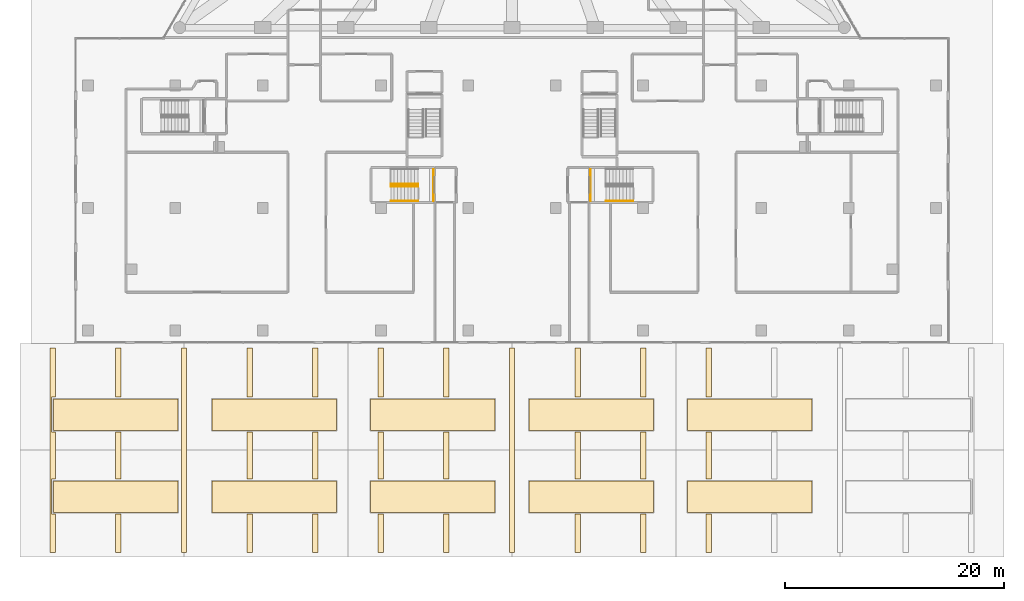
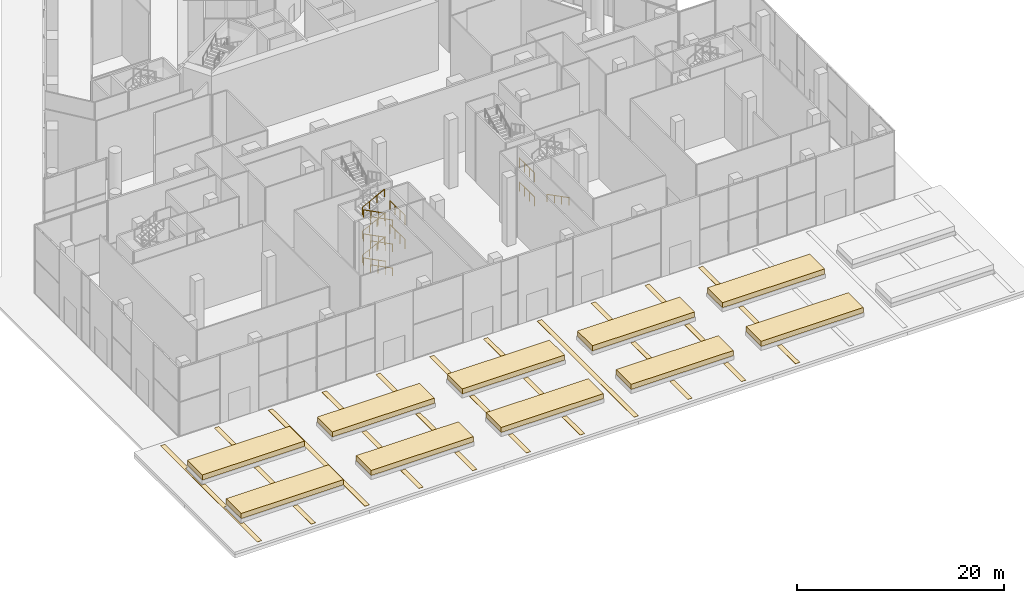
# One storey, part 35 of 41: 37 coverings, 14 railings, 2 elements without a shape of their own.
"""IFC4 building model written with IfcOpenShell, lengths in metres."""

from ifc_helpers import new_model, si_unit, direction, frame, origin, origin_2d, place, context, subcontext, project, spatial, polyline, circle, outline, extrude, material, layer, layer_set, type_object, element, aggregate, save


model = new_model("IFC4")

# Units and contexts
model_context = context("Model", 3, precision=1e-05, world=origin(), true_north=direction((0.0, 1.0)))
body_context = subcontext(model_context, "Body", "Model", "MODEL_VIEW")
ifc_project = project(units=[si_unit("LENGTHUNIT", "METRE"), si_unit("AREAUNIT", "SQUARE_METRE"), si_unit("VOLUMEUNIT", "CUBIC_METRE"), si_unit("PLANEANGLEUNIT", "RADIAN"), si_unit("MASSUNIT", "GRAM", prefix="KILO")], contexts=[model_context])

# Site, building, storey
site_placement = place(None, origin())
site = spatial("IfcSite", under=ifc_project, at=site_placement, CompositionType="ELEMENT")
building_placement = place(site_placement, origin())
building = spatial("IfcBuilding", under=site, at=building_placement, Name="Triada Interchange Tower", CompositionType="ELEMENT")
storey_placement = place(building_placement, origin())
storey = spatial("IfcBuildingStorey", under=building, at=storey_placement, Name="L00", CompositionType="ELEMENT", Elevation=0.0)

# Coverings
ifc_material_1 = material(Name="Concrete paving band", Category="concrete")
ifc_layer_1 = layer(ifc_material_1, 0.02001953125)
ifc_layer_set_1 = layer_set([ifc_layer_1], Name="Paving band 20")
covering_type_1 = type_object("IfcCoveringType", Name="Paving band 20", PredefinedType="FLOORING", material=ifc_layer_set_1)
covering_1_placement = place(storey_placement, origin())
element("IfcCovering", 1, at=covering_1_placement, inside=storey, type_object=covering_type_1, Name="Plaza paving band 01", PredefinedType="FLOORING", context=body_context, shape_type="SweptSolid", body=[
    extrude(outline(polyline([(-41.75, -66.10009765625), (-42.10009765625, -66.10009765625), (-42.10009765625, -62.89990234375), (-41.75, -62.89990234375), (-41.75, -58.60009765625), (-42.10009765625, -58.60009765625), (-42.10009765625, -55.39990234375), (-41.75, -55.39990234375), (-41.75, -50.89990234375), (-42.25, -50.89990234375), (-42.25, -69.60009765625), (-41.75, -69.60009765625), (-41.75, -66.10009765625)])), origin(), (0.0, 0.0, 1.0), 0.02001953125),
])
covering_2_placement = place(storey_placement, origin())
element("IfcCovering", 2, at=covering_2_placement, inside=storey, type_object=covering_type_1, Name="Plaza paving band 02", PredefinedType="FLOORING", context=body_context, shape_type="SweptSolid", body=[
    extrude(outline(polyline([(-35.75, -66.10009765625), (-36.25, -66.10009765625), (-36.25, -69.60009765625), (-35.75, -69.60009765625), (-35.75, -66.10009765625)])), origin(), (0.0, 0.0, 1.0), 0.02001953125),
])
covering_3_placement = place(storey_placement, origin())
element("IfcCovering", 3, at=covering_3_placement, inside=storey, type_object=covering_type_1, Name="Plaza paving band 03", PredefinedType="FLOORING", context=body_context, shape_type="SweptSolid", body=[
    extrude(outline(polyline([(-35.75, -58.60009765625), (-36.25, -58.60009765625), (-36.25, -62.89990234375), (-35.75, -62.89990234375), (-35.75, -58.60009765625)])), origin(), (0.0, 0.0, 1.0), 0.02001953125),
])
covering_4_placement = place(storey_placement, origin())
element("IfcCovering", 4, at=covering_4_placement, inside=storey, type_object=covering_type_1, Name="Plaza paving band 04", PredefinedType="FLOORING", context=body_context, shape_type="SweptSolid", body=[
    extrude(outline(polyline([(-36.25, -55.39990234375), (-35.75, -55.39990234375), (-35.75, -50.89990234375), (-36.25, -50.89990234375), (-36.25, -55.39990234375)])), origin(), (0.0, 0.0, 1.0), 0.02001953125),
])
covering_5_placement = place(storey_placement, origin())
element("IfcCovering", 5, at=covering_5_placement, inside=storey, type_object=covering_type_1, Name="Plaza paving band 05", PredefinedType="FLOORING", context=body_context, shape_type="SweptSolid", body=[
    extrude(outline(polyline([(-29.75, -69.60009765625), (-29.75, -50.89990234375), (-30.25, -50.89990234375), (-30.25, -69.60009765625), (-29.75, -69.60009765625)])), origin(), (0.0, 0.0, 1.0), 0.02001953125),
])
covering_6_placement = place(storey_placement, origin())
element("IfcCovering", 6, at=covering_6_placement, inside=storey, type_object=covering_type_1, Name="Plaza paving band 06", PredefinedType="FLOORING", context=body_context, shape_type="SweptSolid", body=[
    extrude(outline(polyline([(-23.75, -66.10009765625), (-24.25, -66.10009765625), (-24.25, -69.60009765625), (-23.75, -69.60009765625), (-23.75, -66.10009765625)])), origin(), (0.0, 0.0, 1.0), 0.02001953125),
])
covering_7_placement = place(storey_placement, origin())
element("IfcCovering", 7, at=covering_7_placement, inside=storey, type_object=covering_type_1, Name="Plaza paving band 07", PredefinedType="FLOORING", context=body_context, shape_type="SweptSolid", body=[
    extrude(outline(polyline([(-23.75, -58.60009765625), (-24.25, -58.60009765625), (-24.25, -62.89990234375), (-23.75, -62.89990234375), (-23.75, -58.60009765625)])), origin(), (0.0, 0.0, 1.0), 0.02001953125),
])
covering_8_placement = place(storey_placement, origin())
element("IfcCovering", 8, at=covering_8_placement, inside=storey, type_object=covering_type_1, Name="Plaza paving band 08", PredefinedType="FLOORING", context=body_context, shape_type="SweptSolid", body=[
    extrude(outline(polyline([(-24.25, -55.39990234375), (-23.75, -55.39990234375), (-23.75, -50.89990234375), (-24.25, -50.89990234375), (-24.25, -55.39990234375)])), origin(), (0.0, 0.0, 1.0), 0.02001953125),
])
covering_9_placement = place(storey_placement, origin())
element("IfcCovering", 9, at=covering_9_placement, inside=storey, type_object=covering_type_1, Name="Plaza paving band 09", PredefinedType="FLOORING", context=body_context, shape_type="SweptSolid", body=[
    extrude(outline(polyline([(-17.75, -66.10009765625), (-18.25, -66.10009765625), (-18.25, -69.60009765625), (-17.75, -69.60009765625), (-17.75, -66.10009765625)])), origin(), (0.0, 0.0, 1.0), 0.02001953125),
])
covering_10_placement = place(storey_placement, origin())
element("IfcCovering", 10, at=covering_10_placement, inside=storey, type_object=covering_type_1, Name="Plaza paving band 10", PredefinedType="FLOORING", context=body_context, shape_type="SweptSolid", body=[
    extrude(outline(polyline([(-17.75, -58.60009765625), (-18.25, -58.60009765625), (-18.25, -62.89990234375), (-17.75, -62.89990234375), (-17.75, -58.60009765625)])), origin(), (0.0, 0.0, 1.0), 0.02001953125),
])
covering_11_placement = place(storey_placement, origin())
element("IfcCovering", 11, at=covering_11_placement, inside=storey, type_object=covering_type_1, Name="Plaza paving band 11", PredefinedType="FLOORING", context=body_context, shape_type="SweptSolid", body=[
    extrude(outline(polyline([(-18.25, -55.39990234375), (-17.75, -55.39990234375), (-17.75, -50.89990234375), (-18.25, -50.89990234375), (-18.25, -55.39990234375)])), origin(), (0.0, 0.0, 1.0), 0.02001953125),
])
covering_12_placement = place(storey_placement, origin())
element("IfcCovering", 12, at=covering_12_placement, inside=storey, type_object=covering_type_1, Name="Plaza paving band 12", PredefinedType="FLOORING", context=body_context, shape_type="SweptSolid", body=[
    extrude(outline(polyline([(-11.75, -66.10009765625), (-12.25, -66.10009765625), (-12.25, -69.60009765625), (-11.75, -69.60009765625), (-11.75, -66.10009765625)])), origin(), (0.0, 0.0, 1.0), 0.02001953125),
])
covering_13_placement = place(storey_placement, origin())
element("IfcCovering", 13, at=covering_13_placement, inside=storey, type_object=covering_type_1, Name="Plaza paving band 13", PredefinedType="FLOORING", context=body_context, shape_type="SweptSolid", body=[
    extrude(outline(polyline([(-11.75, -58.60009765625), (-12.25, -58.60009765625), (-12.25, -62.89990234375), (-11.75, -62.89990234375), (-11.75, -58.60009765625)])), origin(), (0.0, 0.0, 1.0), 0.02001953125),
])
covering_14_placement = place(storey_placement, origin())
element("IfcCovering", 14, at=covering_14_placement, inside=storey, type_object=covering_type_1, Name="Plaza paving band 14", PredefinedType="FLOORING", context=body_context, shape_type="SweptSolid", body=[
    extrude(outline(polyline([(-12.25, -55.39990234375), (-11.75, -55.39990234375), (-11.75, -50.89990234375), (-12.25, -50.89990234375), (-12.25, -55.39990234375)])), origin(), (0.0, 0.0, 1.0), 0.02001953125),
])
covering_15_placement = place(storey_placement, origin())
element("IfcCovering", 15, at=covering_15_placement, inside=storey, type_object=covering_type_1, Name="Plaza paving band 15", PredefinedType="FLOORING", context=body_context, shape_type="SweptSolid", body=[
    extrude(outline(polyline([(-5.75, -66.10009765625), (-6.25, -66.10009765625), (-6.25, -69.60009765625), (-5.75, -69.60009765625), (-5.75, -66.10009765625)])), origin(), (0.0, 0.0, 1.0), 0.02001953125),
])
covering_16_placement = place(storey_placement, origin())
element("IfcCovering", 16, at=covering_16_placement, inside=storey, type_object=covering_type_1, Name="Plaza paving band 16", PredefinedType="FLOORING", context=body_context, shape_type="SweptSolid", body=[
    extrude(outline(polyline([(-5.75, -58.60009765625), (-6.25, -58.60009765625), (-6.25, -62.89990234375), (-5.75, -62.89990234375), (-5.75, -58.60009765625)])), origin(), (0.0, 0.0, 1.0), 0.02001953125),
])
covering_17_placement = place(storey_placement, origin())
element("IfcCovering", 17, at=covering_17_placement, inside=storey, type_object=covering_type_1, Name="Plaza paving band 17", PredefinedType="FLOORING", context=body_context, shape_type="SweptSolid", body=[
    extrude(outline(polyline([(-6.25, -55.39990234375), (-5.75, -55.39990234375), (-5.75, -50.89990234375), (-6.25, -50.89990234375), (-6.25, -55.39990234375)])), origin(), (0.0, 0.0, 1.0), 0.02001953125),
])
covering_18_placement = place(storey_placement, origin())
element("IfcCovering", 18, at=covering_18_placement, inside=storey, type_object=covering_type_1, Name="Plaza paving band 18", PredefinedType="FLOORING", context=body_context, shape_type="SweptSolid", body=[
    extrude(outline(polyline([(0.25, -69.60009765625), (0.25, -50.89990234375), (-0.25, -50.89990234375), (-0.25, -69.60009765625), (0.25, -69.60009765625)])), origin(), (0.0, 0.0, 1.0), 0.02001953125),
])
covering_19_placement = place(storey_placement, origin())
element("IfcCovering", 19, at=covering_19_placement, inside=storey, type_object=covering_type_1, Name="Plaza paving band 19", PredefinedType="FLOORING", context=body_context, shape_type="SweptSolid", body=[
    extrude(outline(polyline([(6.25, -66.10009765625), (5.75, -66.10009765625), (5.75, -69.60009765625), (6.25, -69.60009765625), (6.25, -66.10009765625)])), origin(), (0.0, 0.0, 1.0), 0.02001953125),
])
covering_20_placement = place(storey_placement, origin())
element("IfcCovering", 20, at=covering_20_placement, inside=storey, type_object=covering_type_1, Name="Plaza paving band 20", PredefinedType="FLOORING", context=body_context, shape_type="SweptSolid", body=[
    extrude(outline(polyline([(6.25, -58.60009765625), (5.75, -58.60009765625), (5.75, -62.89990234375), (6.25, -62.89990234375), (6.25, -58.60009765625)])), origin(), (0.0, 0.0, 1.0), 0.02001953125),
])
covering_21_placement = place(storey_placement, origin())
element("IfcCovering", 21, at=covering_21_placement, inside=storey, type_object=covering_type_1, Name="Plaza paving band 21", PredefinedType="FLOORING", context=body_context, shape_type="SweptSolid", body=[
    extrude(outline(polyline([(5.75, -55.39990234375), (6.25, -55.39990234375), (6.25, -50.89990234375), (5.75, -50.89990234375), (5.75, -55.39990234375)])), origin(), (0.0, 0.0, 1.0), 0.02001953125),
])
covering_22_placement = place(storey_placement, origin())
element("IfcCovering", 22, at=covering_22_placement, inside=storey, type_object=covering_type_1, Name="Plaza paving band 22", PredefinedType="FLOORING", context=body_context, shape_type="SweptSolid", body=[
    extrude(outline(polyline([(12.25, -66.10009765625), (11.75, -66.10009765625), (11.75, -69.60009765625), (12.25, -69.60009765625), (12.25, -66.10009765625)])), origin(), (0.0, 0.0, 1.0), 0.02001953125),
])
covering_23_placement = place(storey_placement, origin())
element("IfcCovering", 23, at=covering_23_placement, inside=storey, type_object=covering_type_1, Name="Plaza paving band 23", PredefinedType="FLOORING", context=body_context, shape_type="SweptSolid", body=[
    extrude(outline(polyline([(12.25, -58.60009765625), (11.75, -58.60009765625), (11.75, -62.89990234375), (12.25, -62.89990234375), (12.25, -58.60009765625)])), origin(), (0.0, 0.0, 1.0), 0.02001953125),
])
covering_24_placement = place(storey_placement, origin())
element("IfcCovering", 24, at=covering_24_placement, inside=storey, type_object=covering_type_1, Name="Plaza paving band 24", PredefinedType="FLOORING", context=body_context, shape_type="SweptSolid", body=[
    extrude(outline(polyline([(11.75, -55.39990234375), (12.25, -55.39990234375), (12.25, -50.89990234375), (11.75, -50.89990234375), (11.75, -55.39990234375)])), origin(), (0.0, 0.0, 1.0), 0.02001953125),
])
covering_25_placement = place(storey_placement, origin())
element("IfcCovering", 25, at=covering_25_placement, inside=storey, type_object=covering_type_1, Name="Plaza paving band 25", PredefinedType="FLOORING", context=body_context, shape_type="SweptSolid", body=[
    extrude(outline(polyline([(18.25, -66.10009765625), (17.75, -66.10009765625), (17.75, -69.60009765625), (18.25, -69.60009765625), (18.25, -66.10009765625)])), origin(), (0.0, 0.0, 1.0), 0.02001953125),
])
covering_26_placement = place(storey_placement, origin())
element("IfcCovering", 26, at=covering_26_placement, inside=storey, type_object=covering_type_1, Name="Plaza paving band 26", PredefinedType="FLOORING", context=body_context, shape_type="SweptSolid", body=[
    extrude(outline(polyline([(18.25, -58.60009765625), (17.75, -58.60009765625), (17.75, -62.89990234375), (18.25, -62.89990234375), (18.25, -58.60009765625)])), origin(), (0.0, 0.0, 1.0), 0.02001953125),
])
covering_27_placement = place(storey_placement, origin())
element("IfcCovering", 27, at=covering_27_placement, inside=storey, type_object=covering_type_1, Name="Plaza paving band 27", PredefinedType="FLOORING", context=body_context, shape_type="SweptSolid", body=[
    extrude(outline(polyline([(17.75, -55.39990234375), (18.25, -55.39990234375), (18.25, -50.89990234375), (17.75, -50.89990234375), (17.75, -55.39990234375)])), origin(), (0.0, 0.0, 1.0), 0.02001953125),
])
ifc_material_2 = material(Name="Planting soil")
ifc_layer_2 = layer(ifc_material_2, 0.60009765625)
ifc_layer_set_2 = layer_set([ifc_layer_2], Name="Planting bed 600")
covering_type_2 = type_object("IfcCoveringType", Name="Planting bed 600", PredefinedType="FLOORING", material=ifc_layer_set_2)
covering_28_placement = place(storey_placement, frame((0.0, 0.0, 0.449951171875)))
element("IfcCovering", 28, at=covering_28_placement, inside=storey, type_object=covering_type_2, Name="Planting bed PLANTER plaza 01", PredefinedType="FLOORING", context=body_context, shape_type="SweptSolid", body=[
    extrude(outline(polyline([(-41.949951171875, -58.449951171875), (-30.550048828125, -58.449951171875), (-30.550048828125, -55.550048828125), (-41.949951171875, -55.550048828125), (-41.949951171875, -58.449951171875)])), origin(), (0.0, 0.0, 1.0), 0.60009765625),
])
covering_29_placement = place(storey_placement, frame((0.0, 0.0, 0.449951171875)))
element("IfcCovering", 29, at=covering_29_placement, inside=storey, type_object=covering_type_2, Name="Planting bed PLANTER plaza 02", PredefinedType="FLOORING", context=body_context, shape_type="SweptSolid", body=[
    extrude(outline(polyline([(-27.449951171875, -58.449951171875), (-16.050048828125, -58.449951171875), (-16.050048828125, -55.550048828125), (-27.449951171875, -55.550048828125), (-27.449951171875, -58.449951171875)])), origin(), (0.0, 0.0, 1.0), 0.60009765625),
])
covering_30_placement = place(storey_placement, frame((0.0, 0.0, 0.449951171875)))
element("IfcCovering", 30, at=covering_30_placement, inside=storey, type_object=covering_type_2, Name="Planting bed PLANTER plaza 03", PredefinedType="FLOORING", context=body_context, shape_type="SweptSolid", body=[
    extrude(outline(polyline([(-12.949951171875, -58.449951171875), (-1.550048828125, -58.449951171875), (-1.550048828125, -55.550048828125), (-12.949951171875, -55.550048828125), (-12.949951171875, -58.449951171875)])), origin(), (0.0, 0.0, 1.0), 0.60009765625),
])
covering_31_placement = place(storey_placement, frame((0.0, 0.0, 0.449951171875)))
element("IfcCovering", 31, at=covering_31_placement, inside=storey, type_object=covering_type_2, Name="Planting bed PLANTER plaza 04", PredefinedType="FLOORING", context=body_context, shape_type="SweptSolid", body=[
    extrude(outline(polyline([(1.550048828125, -58.449951171875), (12.949951171875, -58.449951171875), (12.949951171875, -55.550048828125), (1.550048828125, -55.550048828125), (1.550048828125, -58.449951171875)])), origin(), (0.0, 0.0, 1.0), 0.60009765625),
])
covering_32_placement = place(storey_placement, frame((0.0, 0.0, 0.449951171875)))
element("IfcCovering", 32, at=covering_32_placement, inside=storey, type_object=covering_type_2, Name="Planting bed PLANTER plaza 05", PredefinedType="FLOORING", context=body_context, shape_type="SweptSolid", body=[
    extrude(outline(polyline([(16.050048828125, -58.449951171875), (27.449951171875, -58.449951171875), (27.449951171875, -55.550048828125), (16.050048828125, -55.550048828125), (16.050048828125, -58.449951171875)])), origin(), (0.0, 0.0, 1.0), 0.60009765625),
])
covering_33_placement = place(storey_placement, frame((0.0, 0.0, 0.449951171875)))
element("IfcCovering", 33, at=covering_33_placement, inside=storey, type_object=covering_type_2, Name="Planting bed PLANTER plaza 07", PredefinedType="FLOORING", context=body_context, shape_type="SweptSolid", body=[
    extrude(outline(polyline([(-41.949951171875, -65.949951171875), (-30.550048828125, -65.949951171875), (-30.550048828125, -63.050048828125), (-41.949951171875, -63.050048828125), (-41.949951171875, -65.949951171875)])), origin(), (0.0, 0.0, 1.0), 0.60009765625),
])
covering_34_placement = place(storey_placement, frame((0.0, 0.0, 0.449951171875)))
element("IfcCovering", 34, at=covering_34_placement, inside=storey, type_object=covering_type_2, Name="Planting bed PLANTER plaza 08", PredefinedType="FLOORING", context=body_context, shape_type="SweptSolid", body=[
    extrude(outline(polyline([(-27.449951171875, -65.949951171875), (-16.050048828125, -65.949951171875), (-16.050048828125, -63.050048828125), (-27.449951171875, -63.050048828125), (-27.449951171875, -65.949951171875)])), origin(), (0.0, 0.0, 1.0), 0.60009765625),
])
covering_35_placement = place(storey_placement, frame((0.0, 0.0, 0.449951171875)))
element("IfcCovering", 35, at=covering_35_placement, inside=storey, type_object=covering_type_2, Name="Planting bed PLANTER plaza 09", PredefinedType="FLOORING", context=body_context, shape_type="SweptSolid", body=[
    extrude(outline(polyline([(-12.949951171875, -65.949951171875), (-1.550048828125, -65.949951171875), (-1.550048828125, -63.050048828125), (-12.949951171875, -63.050048828125), (-12.949951171875, -65.949951171875)])), origin(), (0.0, 0.0, 1.0), 0.60009765625),
])
covering_36_placement = place(storey_placement, frame((0.0, 0.0, 0.449951171875)))
element("IfcCovering", 36, at=covering_36_placement, inside=storey, type_object=covering_type_2, Name="Planting bed PLANTER plaza 10", PredefinedType="FLOORING", context=body_context, shape_type="SweptSolid", body=[
    extrude(outline(polyline([(1.550048828125, -65.949951171875), (12.949951171875, -65.949951171875), (12.949951171875, -63.050048828125), (1.550048828125, -63.050048828125), (1.550048828125, -65.949951171875)])), origin(), (0.0, 0.0, 1.0), 0.60009765625),
])
covering_37_placement = place(storey_placement, frame((0.0, 0.0, 0.449951171875)))
element("IfcCovering", 37, at=covering_37_placement, inside=storey, type_object=covering_type_2, Name="Planting bed PLANTER plaza 11", PredefinedType="FLOORING", context=body_context, shape_type="SweptSolid", body=[
    extrude(outline(polyline([(16.050048828125, -65.949951171875), (27.449951171875, -65.949951171875), (27.449951171875, -63.050048828125), (16.050048828125, -63.050048828125), (16.050048828125, -65.949951171875)])), origin(), (0.0, 0.0, 1.0), 0.60009765625),
])

# Stair, railings
ifc_material_3 = material(Name="Concrete C35/45", Category="concrete")
stair_type = type_object("IfcStairType", Name="HALF TURN STAIR 1400", PredefinedType="HALF_TURN_STAIR", material=ifc_material_3)
stair_1_placement = place(storey_placement, origin())
stair_1 = element("IfcStair", 38, at=stair_1_placement, inside=storey, type_object=stair_type, Name="Exit stair S00-4", PredefinedType="HALF_TURN_STAIR")
ifc_material_4 = material(Name="Stainless steel 1.4301", Category="steel")
railing_type_1 = type_object("IfcRailingType", Name="STAIR GUARD 1100", PredefinedType="GUARDRAIL", material=ifc_material_4)
railing_1_placement = place(storey_placement, frame((-7.199951171875, -37.449951171875, 2.83349609375)))
railing_1 = element("IfcRailing", 39, at=railing_1_placement, type_object=railing_type_1, Name="Guard S00-4 1", PredefinedType="GUARDRAIL", context=body_context, shape_type="SweptSolid", body=[
    extrude(circle(Radius=0.02392578125, at=origin_2d()), frame((0.0, 0.0, 1.076171875), z_axis=(0.0, 1.0, 0.0), x_axis=(-1.0, 0.0, 0.0)), (0.0, 0.0, 1.0), 2.89990234375),
    extrude(circle(Radius=0.02099609375, at=origin_2d()), origin(), (0.0, 0.0, 1.0), 1.052001953125),
    extrude(circle(Radius=0.02099609375, at=origin_2d()), frame((0.0, 0.966552734375, 0.0)), (0.0, 0.0, 1.0), 1.052001953125),
    extrude(circle(Radius=0.02099609375, at=origin_2d()), frame((0.0, 1.933349609375, 0.0)), (0.0, 0.0, 1.0), 1.052001953125),
    extrude(circle(Radius=0.02099609375, at=origin_2d()), frame((0.0, 2.89990234375, 0.0)), (0.0, 0.0, 1.0), 1.052001953125),
])
railing_2_placement = place(storey_placement, frame((-7.199951171875, -37.449951171875, 5.666748046875)))
railing_2 = element("IfcRailing", 40, at=railing_2_placement, type_object=railing_type_1, Name="Guard S00-4 2", PredefinedType="GUARDRAIL", context=body_context, shape_type="SweptSolid", body=[
    extrude(circle(Radius=0.02392578125, at=origin_2d()), frame((0.0, 0.0, 1.076171875), z_axis=(0.0, 1.0, 0.0), x_axis=(-1.0, 0.0, 0.0)), (0.0, 0.0, 1.0), 2.89990234375),
    extrude(circle(Radius=0.02099609375, at=origin_2d()), origin(), (0.0, 0.0, 1.0), 1.052001953125),
    extrude(circle(Radius=0.02099609375, at=origin_2d()), frame((0.0, 0.966552734375, 0.0)), (0.0, 0.0, 1.0), 1.052001953125),
    extrude(circle(Radius=0.02099609375, at=origin_2d()), frame((0.0, 1.933349609375, 0.0)), (0.0, 0.0, 1.0), 1.052001953125),
    extrude(circle(Radius=0.02099609375, at=origin_2d()), frame((0.0, 2.89990234375, 0.0)), (0.0, 0.0, 1.0), 1.052001953125),
])

stair_2_placement = place(storey_placement, origin())
stair_2 = element("IfcStair", 41, at=stair_2_placement, inside=storey, type_object=stair_type, Name="Exit stair S00-5", PredefinedType="HALF_TURN_STAIR")
railing_3_placement = place(storey_placement, frame((7.199951171875, -34.550048828125, 2.83349609375)))
railing_3 = element("IfcRailing", 42, at=railing_3_placement, type_object=railing_type_1, Name="Guard S00-5 1", PredefinedType="GUARDRAIL", context=body_context, shape_type="SweptSolid", body=[
    extrude(circle(Radius=0.02392578125, at=origin_2d()), frame((0.0, 0.0, 1.076171875), z_axis=(0.0, -1.0, 0.0), x_axis=(1.0, 0.0, 0.0)), (0.0, 0.0, 1.0), 2.89990234375),
    extrude(circle(Radius=0.02099609375, at=origin_2d()), origin(), (0.0, 0.0, 1.0), 1.052001953125),
    extrude(circle(Radius=0.02099609375, at=origin_2d()), frame((0.0, -0.966552734375, 0.0)), (0.0, 0.0, 1.0), 1.052001953125),
    extrude(circle(Radius=0.02099609375, at=origin_2d()), frame((0.0, -1.933349609375, 0.0)), (0.0, 0.0, 1.0), 1.052001953125),
    extrude(circle(Radius=0.02099609375, at=origin_2d()), frame((0.0, -2.89990234375, 0.0)), (0.0, 0.0, 1.0), 1.052001953125),
])
railing_4_placement = place(storey_placement, frame((7.199951171875, -34.550048828125, 5.666748046875)))
railing_4 = element("IfcRailing", 43, at=railing_4_placement, type_object=railing_type_1, Name="Guard S00-5 2", PredefinedType="GUARDRAIL", context=body_context, shape_type="SweptSolid", body=[
    extrude(circle(Radius=0.02392578125, at=origin_2d()), frame((0.0, 0.0, 1.076171875), z_axis=(0.0, -1.0, 0.0), x_axis=(1.0, 0.0, 0.0)), (0.0, 0.0, 1.0), 2.89990234375),
    extrude(circle(Radius=0.02099609375, at=origin_2d()), origin(), (0.0, 0.0, 1.0), 1.052001953125),
    extrude(circle(Radius=0.02099609375, at=origin_2d()), frame((0.0, -0.966552734375, 0.0)), (0.0, 0.0, 1.0), 1.052001953125),
    extrude(circle(Radius=0.02099609375, at=origin_2d()), frame((0.0, -1.933349609375, 0.0)), (0.0, 0.0, 1.0), 1.052001953125),
    extrude(circle(Radius=0.02099609375, at=origin_2d()), frame((0.0, -2.89990234375, 0.0)), (0.0, 0.0, 1.0), 1.052001953125),
])

# Railing
railing_type_2 = type_object("IfcRailingType", Name="STAIR HANDRAIL 900", PredefinedType="HANDRAIL", material=ifc_material_4)
railing_5_placement = place(storey_placement, frame((-8.60009765625, -37.449951171875, 0.157470703125)))
railing_5 = element("IfcRailing", 44, at=railing_5_placement, type_object=railing_type_2, Name="Handrail S00-4 1W", PredefinedType="HANDRAIL", context=body_context, shape_type="SweptSolid", body=[
    extrude(circle(Radius=0.02392578125, at=origin_2d()), frame((0.0, 0.0, 0.8759765625), z_axis=(-0.891636241932, 0.0, 0.452752484336), x_axis=(0.0, -1.0, 0.0)), (0.0, 0.0, 1.0), 2.781494140625),
    extrude(circle(Radius=0.02099609375, at=origin_2d()), origin(), (0.0, 0.0, 1.0), 0.851806640625),
    extrude(circle(Radius=0.02099609375, at=origin_2d()), frame((-0.82666015625, 0.0, 0.419677734375)), (0.0, 0.0, 1.0), 0.851806640625),
    extrude(circle(Radius=0.02099609375, at=origin_2d()), frame((-1.6533203125, 0.0, 0.839599609375)), (0.0, 0.0, 1.0), 0.851806640625),
    extrude(circle(Radius=0.02099609375, at=origin_2d()), frame((-2.47998046875, 0.0, 1.25927734375)), (0.0, 0.0, 1.0), 0.851806640625),
])

railing_6_placement = place(storey_placement, frame((-8.60009765625, -36.1201171875, 0.157470703125)))
railing_6 = element("IfcRailing", 45, at=railing_6_placement, type_object=railing_type_2, Name="Handrail S00-4 1C", PredefinedType="HANDRAIL", context=body_context, shape_type="SweptSolid", body=[
    extrude(circle(Radius=0.02392578125, at=origin_2d()), frame((0.0, 0.0, 0.8759765625), z_axis=(-0.891636241932, 0.0, 0.452752484336), x_axis=(0.0, -1.0, 0.0)), (0.0, 0.0, 1.0), 2.781494140625),
    extrude(circle(Radius=0.02099609375, at=origin_2d()), origin(), (0.0, 0.0, 1.0), 0.851806640625),
    extrude(circle(Radius=0.02099609375, at=origin_2d()), frame((-0.82666015625, 0.0, 0.419677734375)), (0.0, 0.0, 1.0), 0.851806640625),
    extrude(circle(Radius=0.02099609375, at=origin_2d()), frame((-1.6533203125, 0.0, 0.839599609375)), (0.0, 0.0, 1.0), 0.851806640625),
    extrude(circle(Radius=0.02099609375, at=origin_2d()), frame((-2.47998046875, 0.0, 1.25927734375)), (0.0, 0.0, 1.0), 0.851806640625),
])

railing_7_placement = place(storey_placement, frame((-11.080078125, -35.8798828125, 1.57421875)))
railing_7 = element("IfcRailing", 46, at=railing_7_placement, type_object=railing_type_2, Name="Handrail S00-4 2C", PredefinedType="HANDRAIL", context=body_context, shape_type="SweptSolid", body=[
    extrude(circle(Radius=0.02392578125, at=origin_2d()), frame((0.0, 0.0, 0.8759765625), z_axis=(0.891636241932, 0.0, 0.452752484336), x_axis=(0.0, 1.0, 0.0)), (0.0, 0.0, 1.0), 2.781494140625),
    extrude(circle(Radius=0.02099609375, at=origin_2d()), origin(), (0.0, 0.0, 1.0), 0.851806640625),
    extrude(circle(Radius=0.02099609375, at=origin_2d()), frame((0.82666015625, 0.0, 0.419677734375)), (0.0, 0.0, 1.0), 0.851806640625),
    extrude(circle(Radius=0.02099609375, at=origin_2d()), frame((1.6533203125, 0.0, 0.839599609375)), (0.0, 0.0, 1.0), 0.851806640625),
    extrude(circle(Radius=0.02099609375, at=origin_2d()), frame((2.47998046875, 0.0, 1.25927734375)), (0.0, 0.0, 1.0), 0.851806640625),
])

railing_8_placement = place(storey_placement, frame((-8.60009765625, -37.449951171875, 2.99072265625)))
railing_8 = element("IfcRailing", 47, at=railing_8_placement, type_object=railing_type_2, Name="Handrail S00-4 3W", PredefinedType="HANDRAIL", context=body_context, shape_type="SweptSolid", body=[
    extrude(circle(Radius=0.02392578125, at=origin_2d()), frame((0.0, 0.0, 0.8759765625), z_axis=(-0.891636241932, 0.0, 0.452752484336), x_axis=(0.0, -1.0, 0.0)), (0.0, 0.0, 1.0), 2.781494140625),
    extrude(circle(Radius=0.02099609375, at=origin_2d()), origin(), (0.0, 0.0, 1.0), 0.851806640625),
    extrude(circle(Radius=0.02099609375, at=origin_2d()), frame((-0.82666015625, 0.0, 0.419677734375)), (0.0, 0.0, 1.0), 0.851806640625),
    extrude(circle(Radius=0.02099609375, at=origin_2d()), frame((-1.6533203125, 0.0, 0.839599609375)), (0.0, 0.0, 1.0), 0.851806640625),
    extrude(circle(Radius=0.02099609375, at=origin_2d()), frame((-2.47998046875, 0.0, 1.25927734375)), (0.0, 0.0, 1.0), 0.851806640625),
])

railing_9_placement = place(storey_placement, frame((-8.60009765625, -36.1201171875, 2.99072265625)))
railing_9 = element("IfcRailing", 48, at=railing_9_placement, type_object=railing_type_2, Name="Handrail S00-4 3C", PredefinedType="HANDRAIL", context=body_context, shape_type="SweptSolid", body=[
    extrude(circle(Radius=0.02392578125, at=origin_2d()), frame((0.0, 0.0, 0.8759765625), z_axis=(-0.891636241932, 0.0, 0.452752484336), x_axis=(0.0, -1.0, 0.0)), (0.0, 0.0, 1.0), 2.781494140625),
    extrude(circle(Radius=0.02099609375, at=origin_2d()), origin(), (0.0, 0.0, 1.0), 0.851806640625),
    extrude(circle(Radius=0.02099609375, at=origin_2d()), frame((-0.82666015625, 0.0, 0.419677734375)), (0.0, 0.0, 1.0), 0.851806640625),
    extrude(circle(Radius=0.02099609375, at=origin_2d()), frame((-1.6533203125, 0.0, 0.839599609375)), (0.0, 0.0, 1.0), 0.851806640625),
    extrude(circle(Radius=0.02099609375, at=origin_2d()), frame((-2.47998046875, 0.0, 1.25927734375)), (0.0, 0.0, 1.0), 0.851806640625),
])

railing_10_placement = place(storey_placement, frame((-11.080078125, -35.8798828125, 4.407470703125)))
railing_10 = element("IfcRailing", 49, at=railing_10_placement, type_object=railing_type_2, Name="Handrail S00-4 4C", PredefinedType="HANDRAIL", context=body_context, shape_type="SweptSolid", body=[
    extrude(circle(Radius=0.02392578125, at=origin_2d()), frame((0.0, 0.0, 0.8759765625), z_axis=(0.891636241932, 0.0, 0.452752484336), x_axis=(0.0, 1.0, 0.0)), (0.0, 0.0, 1.0), 2.781494140625),
    extrude(circle(Radius=0.02099609375, at=origin_2d()), origin(), (0.0, 0.0, 1.0), 0.851806640625),
    extrude(circle(Radius=0.02099609375, at=origin_2d()), frame((0.82666015625, 0.0, 0.419677734375)), (0.0, 0.0, 1.0), 0.851806640625),
    extrude(circle(Radius=0.02099609375, at=origin_2d()), frame((1.6533203125, 0.0, 0.839599609375)), (0.0, 0.0, 1.0), 0.851806640625),
    extrude(circle(Radius=0.02099609375, at=origin_2d()), frame((2.47998046875, 0.0, 1.25927734375)), (0.0, 0.0, 1.0), 0.851806640625),
])

railing_11_placement = place(storey_placement, frame((-8.60009765625, -37.449951171875, 5.82421875)))
railing_11 = element("IfcRailing", 50, at=railing_11_placement, type_object=railing_type_2, Name="Handrail S00-4 5W", PredefinedType="HANDRAIL", context=body_context, shape_type="SweptSolid", body=[
    extrude(circle(Radius=0.02392578125, at=origin_2d()), frame((0.0, 0.0, 0.8759765625), z_axis=(-0.891636241932, 0.0, 0.452752484336), x_axis=(0.0, -1.0, 0.0)), (0.0, 0.0, 1.0), 2.781494140625),
    extrude(circle(Radius=0.02099609375, at=origin_2d()), origin(), (0.0, 0.0, 1.0), 0.851806640625),
    extrude(circle(Radius=0.02099609375, at=origin_2d()), frame((-0.82666015625, 0.0, 0.419677734375)), (0.0, 0.0, 1.0), 0.851806640625),
    extrude(circle(Radius=0.02099609375, at=origin_2d()), frame((-1.6533203125, 0.0, 0.839599609375)), (0.0, 0.0, 1.0), 0.851806640625),
    extrude(circle(Radius=0.02099609375, at=origin_2d()), frame((-2.47998046875, 0.0, 1.25927734375)), (0.0, 0.0, 1.0), 0.851806640625),
])

railing_12_placement = place(storey_placement, frame((-8.60009765625, -36.1201171875, 5.82421875)))
railing_12 = element("IfcRailing", 51, at=railing_12_placement, type_object=railing_type_2, Name="Handrail S00-4 5C", PredefinedType="HANDRAIL", context=body_context, shape_type="SweptSolid", body=[
    extrude(circle(Radius=0.02392578125, at=origin_2d()), frame((0.0, 0.0, 0.8759765625), z_axis=(-0.891636241932, 0.0, 0.452752484336), x_axis=(0.0, -1.0, 0.0)), (0.0, 0.0, 1.0), 2.781494140625),
    extrude(circle(Radius=0.02099609375, at=origin_2d()), origin(), (0.0, 0.0, 1.0), 0.851806640625),
    extrude(circle(Radius=0.02099609375, at=origin_2d()), frame((-0.82666015625, 0.0, 0.419677734375)), (0.0, 0.0, 1.0), 0.851806640625),
    extrude(circle(Radius=0.02099609375, at=origin_2d()), frame((-1.6533203125, 0.0, 0.839599609375)), (0.0, 0.0, 1.0), 0.851806640625),
    extrude(circle(Radius=0.02099609375, at=origin_2d()), frame((-2.47998046875, 0.0, 1.25927734375)), (0.0, 0.0, 1.0), 0.851806640625),
])

railing_13_placement = place(storey_placement, frame((-11.080078125, -35.8798828125, 7.240966796875)))
railing_13 = element("IfcRailing", 52, at=railing_13_placement, type_object=railing_type_2, Name="Handrail S00-4 6C", PredefinedType="HANDRAIL", context=body_context, shape_type="SweptSolid", body=[
    extrude(circle(Radius=0.02392578125, at=origin_2d()), frame((0.0, 0.0, 0.8759765625), z_axis=(0.891636241932, 0.0, 0.452752484336), x_axis=(0.0, 1.0, 0.0)), (0.0, 0.0, 1.0), 2.781494140625),
    extrude(circle(Radius=0.02099609375, at=origin_2d()), origin(), (0.0, 0.0, 1.0), 0.851806640625),
    extrude(circle(Radius=0.02099609375, at=origin_2d()), frame((0.82666015625, 0.0, 0.419677734375)), (0.0, 0.0, 1.0), 0.851806640625),
    extrude(circle(Radius=0.02099609375, at=origin_2d()), frame((1.6533203125, 0.0, 0.839599609375)), (0.0, 0.0, 1.0), 0.851806640625),
    extrude(circle(Radius=0.02099609375, at=origin_2d()), frame((2.47998046875, 0.0, 1.25927734375)), (0.0, 0.0, 1.0), 0.851806640625),
])

aggregate(stair_1, [railing_5, railing_6, railing_7, railing_8, railing_9, railing_10, railing_11, railing_12, railing_13, railing_1, railing_2])

railing_14_placement = place(storey_placement, frame((11.080078125, -37.449951171875, 1.57421875)))
railing_14 = element("IfcRailing", 53, at=railing_14_placement, type_object=railing_type_2, Name="Handrail S00-5 2W", PredefinedType="HANDRAIL", context=body_context, shape_type="SweptSolid", body=[
    extrude(circle(Radius=0.02392578125, at=origin_2d()), frame((0.0, 0.0, 0.8759765625), z_axis=(-0.891636241932, 0.0, 0.452752484336), x_axis=(0.0, -1.0, 0.0)), (0.0, 0.0, 1.0), 2.781494140625),
    extrude(circle(Radius=0.02099609375, at=origin_2d()), origin(), (0.0, 0.0, 1.0), 0.851806640625),
    extrude(circle(Radius=0.02099609375, at=origin_2d()), frame((-0.82666015625, 0.0, 0.419677734375)), (0.0, 0.0, 1.0), 0.851806640625),
    extrude(circle(Radius=0.02099609375, at=origin_2d()), frame((-1.6533203125, 0.0, 0.839599609375)), (0.0, 0.0, 1.0), 0.851806640625),
    extrude(circle(Radius=0.02099609375, at=origin_2d()), frame((-2.47998046875, 0.0, 1.25927734375)), (0.0, 0.0, 1.0), 0.851806640625),
])

aggregate(stair_2, [railing_14, railing_3, railing_4])

save(model, "model.ifc")
